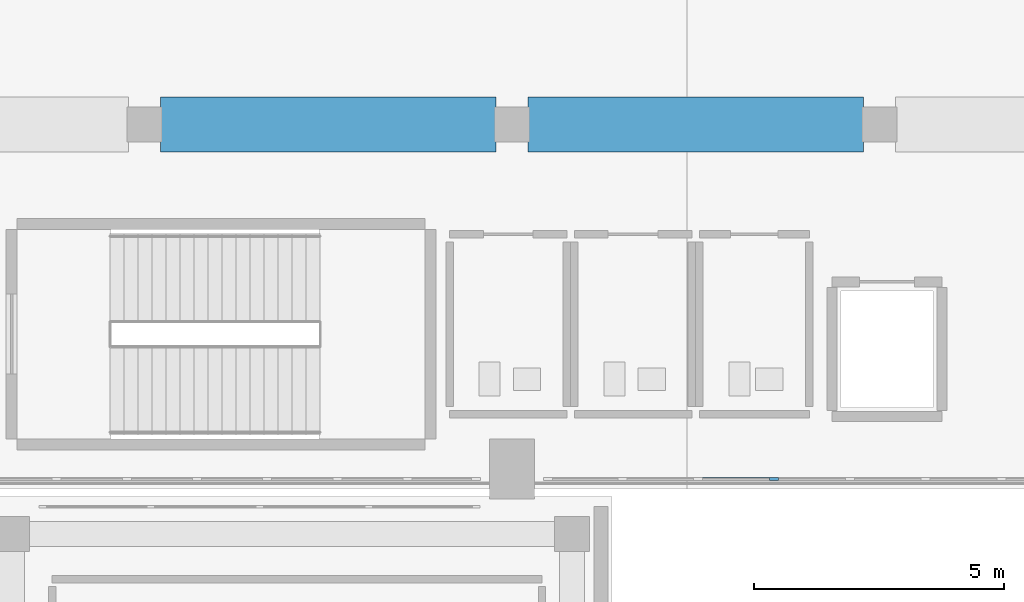
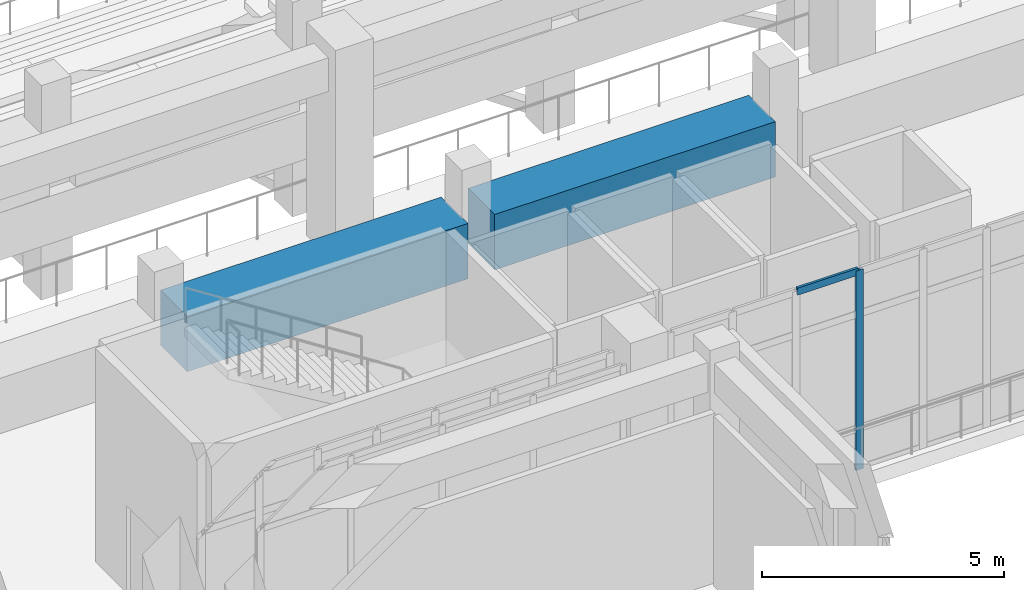
# One storey, part 25 of 159: 2 beams, 2 members, 1 element without a shape of its own.
"""IFC4 building model written with IfcOpenShell, lengths in metres."""

from ifc_helpers import new_model, si_unit, derived_unit, direction, frame, origin, origin_2d, place, context, subcontext, project, spatial, rectangle, extrude, material, layer, layer_set, material_profile, profile_set, type_object, element, aggregate, save


model = new_model("IFC4")

# Units and contexts
model_context = context("Model", 3, precision=1e-05, world=origin(), true_north=direction((0.0, 1.0)))
body_context = subcontext(model_context, "Body", "Model", "MODEL_VIEW")
ifc_project = project(units=[si_unit("LENGTHUNIT", "METRE"), si_unit("AREAUNIT", "SQUARE_METRE"), si_unit("VOLUMEUNIT", "CUBIC_METRE"), si_unit("PLANEANGLEUNIT", "RADIAN"), si_unit("MASSUNIT", "GRAM", prefix="KILO"), derived_unit("THERMALTRANSMITTANCEUNIT", [(si_unit("MASSUNIT", "GRAM", prefix="KILO"), 1), (si_unit("TIMEUNIT", "SECOND"), -3), (si_unit("THERMODYNAMICTEMPERATUREUNIT", "KELVIN"), -1)])], contexts=[model_context])

# Site, building, storey
site_placement = place(None, origin())
site = spatial("IfcSite", under=ifc_project, at=site_placement, CompositionType="ELEMENT")
building_placement = place(site_placement, origin())
building = spatial("IfcBuilding", under=site, at=building_placement, Name="Valcora Ridge Arena", CompositionType="ELEMENT")
storey_placement = place(building_placement, frame((0.0, 0.0, 6.0)))
storey = spatial("IfcBuildingStorey", under=building, at=storey_placement, Name="L01", CompositionType="ELEMENT", Elevation=6.0)

# Beams
ifc_material_1 = material(Name="Concrete C45/55", Category="concrete")
ifc_material_profile_1 = material_profile(ifc_material_1, rectangle(XDim=1.10009765625, YDim=1.39990234375, at=origin_2d()), Name="RC 1100x1400")
ifc_profile_set_1 = profile_set([ifc_material_profile_1], Name="Concrete C45/55")
beam_type = type_object("IfcBeamType", Name="TY-BEAM-RKR-URING-1200", PredefinedType="USERDEFINED", material=ifc_profile_set_1)
for number, where, z_axis, x_axis, name in (
    (1, (50.969970703125, 27.300048828125, 3.47509765625), (1.0, 0.0, 0.0), (0.0, 1.0, 0.0), "RKR-URING-1200 BEM-RU2-RKR-URING-1200-0004"),
    (2, (58.320068359375, 27.300048828125, 3.47509765625), (1.0, 0.0, 0.0), (0.0, 1.0, 0.0), "RKR-URING-1200 BEM-RU2-RKR-URING-1200-0005"),
):
    element("IfcBeam", number, at=place(storey_placement, frame(where, z_axis=z_axis, x_axis=x_axis)), inside=storey, type_object=beam_type, Name=name, ObjectType="RAKER", PredefinedType="USERDEFINED", context=body_context, shape_type="SweptSolid", body=[
        extrude(rectangle(XDim=1.10009765625, YDim=1.39990234375, at=origin_2d()), origin(), (0.0, 0.0, 1.0), 6.7099609375),
    ])

# Curtain wall, members
ifc_material_2 = material(Name="Anodised dark bronze architectural aluminium 6063-T6", Category="aluminium")
ifc_layer = layer(ifc_material_2, 0.179931640625, Name="Anodised dark bronze architectural aluminium 6063-T6")
ifc_layer_set = layer_set([ifc_layer], Name="Anodised dark bronze architectural aluminium 6063-T6")
curtain_wall_type = type_object("IfcCurtainWallType", Name="TY-CURTAINWALL-CW-V1-GOTH-106X50", PredefinedType="NOTDEFINED", material=ifc_layer_set)
curtain_wall_placement = place(storey_placement, origin())
curtain_wall = element("IfcCurtainWall", 3, at=curtain_wall_placement, inside=storey, type_object=curtain_wall_type, Name="CW-V1-GOTH-106X50 CW-0099", PredefinedType="NOTDEFINED")
ifc_material_profile_2 = material_profile(ifc_material_2, rectangle(XDim=0.06005859375, YDim=0.179931640625, at=origin_2d()), Name="ALU MULLION 60x180")
ifc_profile_set_2 = profile_set([ifc_material_profile_2], Name="Anodised dark bronze architectural aluminium 6063-T6")
member_type_1 = type_object("IfcMemberType", Name="TY-MEM-CWM-60x180", PredefinedType="MULLION", material=ifc_profile_set_2)
member_1_placement = place(storey_placement, frame((63.241455078125, 20.199951171875, 0.0), z_axis=(0.0, 0.0, 1.0), x_axis=(0.0, 1.0, 0.0)))
member_1 = element("IfcMember", 4, at=member_1_placement, type_object=member_type_1, Name="CW-0099/CWM-60x180/M03", PredefinedType="MULLION", context=body_context, shape_type="SweptSolid", body=[
    extrude(rectangle(XDim=0.06005859375, YDim=0.179931640625, at=origin_2d()), origin(), (0.0, 0.0, 1.0), 5.0400390625),
])
ifc_material_profile_3 = material_profile(ifc_material_2, rectangle(XDim=0.06005859375, YDim=0.179931640625, at=origin_2d()), Name="ALU TRANSOM 60x180")
ifc_profile_set_3 = profile_set([ifc_material_profile_3], Name="Anodised dark bronze architectural aluminium 6063-T6")
member_type_2 = type_object("IfcMemberType", Name="TY-MEM-CWT-60x180", PredefinedType="USERDEFINED", material=ifc_profile_set_3)
member_2_placement = place(storey_placement, frame((61.75390625, 20.199951171875, 5.010009765625), z_axis=(1.0, 0.0, 0.0), x_axis=(0.0, 1.0, 0.0)))
member_2 = element("IfcMember", 5, at=member_2_placement, type_object=member_type_2, Name="CW-0099/CWT-60x180/T02-03", ObjectType="TRANSOM", PredefinedType="USERDEFINED", context=body_context, shape_type="SweptSolid", body=[
    extrude(rectangle(XDim=0.06005859375, YDim=0.179931640625, at=origin_2d()), origin(), (0.0, 0.0, 1.0), 1.45703125),
])
aggregate(curtain_wall, [member_1, member_2])

save(model, "model.ifc")
